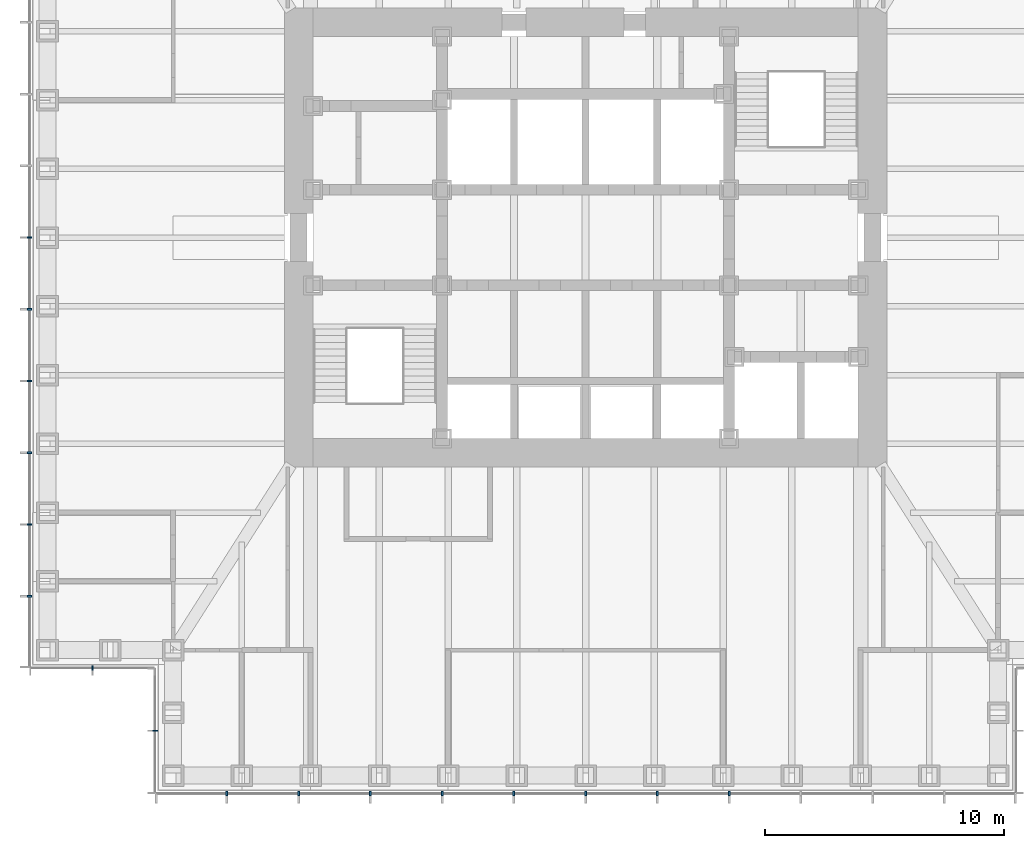
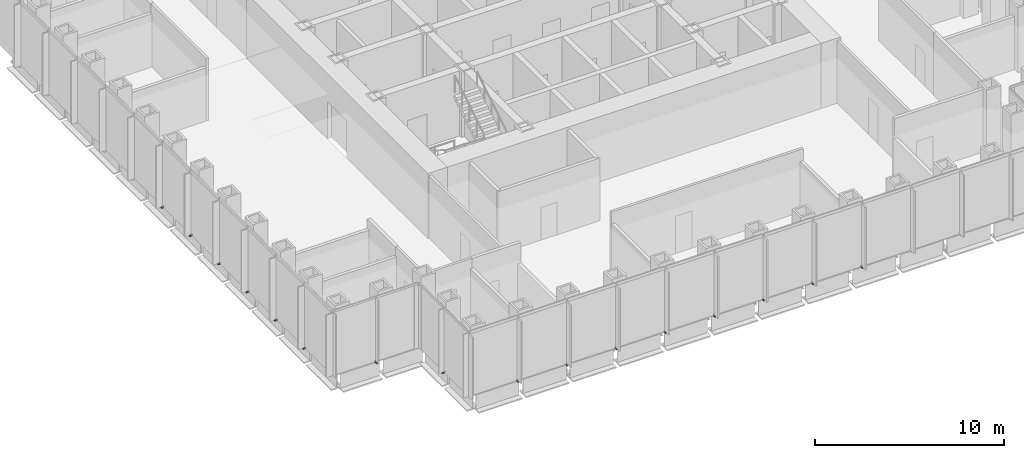
# One storey, part 12 of 17: 16 discrete accessories.
"""IFC4 building model written with IfcOpenShell, lengths in metres."""

from ifc_helpers import new_model, si_unit, direction, frame, origin, origin_2d, place, context, subcontext, project, spatial, rectangle, extrude, element, save


model = new_model("IFC4")

# Units and contexts
model_context = context("Model", 3, precision=1e-05, world=origin(), true_north=direction((0.0, 1.0)))
body_context = subcontext(model_context, "Body", "Model", "MODEL_VIEW")
ifc_project = project(units=[si_unit("LENGTHUNIT", "METRE"), si_unit("AREAUNIT", "SQUARE_METRE"), si_unit("VOLUMEUNIT", "CUBIC_METRE"), si_unit("PLANEANGLEUNIT", "RADIAN"), si_unit("MASSUNIT", "GRAM", prefix="KILO")], contexts=[model_context])

# Site, building, storey
site_placement = place(None, origin())
site = spatial("IfcSite", under=ifc_project, at=site_placement, CompositionType="ELEMENT")
building_placement = place(site_placement, origin())
building = spatial("IfcBuilding", under=site, at=building_placement, Name="Daluyong Arena Tower", CompositionType="ELEMENT")
storey_placement = place(building_placement, frame((0.0, 0.0, 145.89990234375)))
storey = spatial("IfcBuildingStorey", under=building, at=storey_placement, Name="L32", CompositionType="ELEMENT", Elevation=145.89990234375)

# Discrete accessories
for number, where, z_axis, x_axis, name in (
    (1, (41.0, 56.75, -0.099853515625), (0.0, 0.0, 1.0), (1.0, 0.0, 0.0), "curtain wall L32 S anchor bracket 2"),
    (2, (44.0, 56.75, -0.099853515625), (0.0, 0.0, 1.0), (1.0, 0.0, 0.0), "curtain wall L32 S anchor bracket 3"),
    (3, (47.0, 56.75, -0.099853515625), (0.0, 0.0, 1.0), (1.0, 0.0, 0.0), "curtain wall L32 S anchor bracket 4"),
    (4, (50.0, 56.75, -0.099853515625), (0.0, 0.0, 1.0), (1.0, 0.0, 0.0), "curtain wall L32 S anchor bracket 5"),
    (5, (53.0, 56.75, -0.099853515625), (0.0, 0.0, 1.0), (1.0, 0.0, 0.0), "curtain wall L32 S anchor bracket 6"),
    (6, (56.0, 56.75, -0.099853515625), (0.0, 0.0, 1.0), (1.0, 0.0, 0.0), "curtain wall L32 S anchor bracket 7"),
    (7, (59.0, 56.75, -0.099853515625), (0.0, 0.0, 1.0), (1.0, 0.0, 0.0), "curtain wall L32 S anchor bracket 8"),
    (8, (62.0, 56.75, -0.099853515625), (0.0, 0.0, 1.0), (1.0, 0.0, 0.0), "curtain wall L32 S anchor bracket 9"),
    (9, (32.75, 80.0, -0.099853515625), (0.0, 0.0, 1.0), (0.0, -1.0, 0.0), "curtain wall L32 W anchor bracket 7"),
    (10, (32.75, 77.0, -0.099853515625), (0.0, 0.0, 1.0), (0.0, -1.0, 0.0), "curtain wall L32 W anchor bracket 8"),
    (11, (32.75, 74.0, -0.099853515625), (0.0, 0.0, 1.0), (0.0, -1.0, 0.0), "curtain wall L32 W anchor bracket 9"),
    (12, (32.75, 71.0, -0.099853515625), (0.0, 0.0, 1.0), (0.0, -1.0, 0.0), "curtain wall L32 W anchor bracket 10"),
    (13, (32.75, 68.0, -0.099853515625), (0.0, 0.0, 1.0), (0.0, -1.0, 0.0), "curtain wall L32 W anchor bracket 11"),
    (14, (32.75, 65.0, -0.099853515625), (0.0, 0.0, 1.0), (0.0, -1.0, 0.0), "curtain wall L32 W anchor bracket 12"),
):
    element("IfcDiscreteAccessory", number, at=place(storey_placement, frame(where, z_axis=z_axis, x_axis=x_axis)), inside=storey, Name=name, PredefinedType="BRACKET", context=body_context, shape_type="SweptSolid", body=[
        extrude(rectangle(XDim=0.080078125, YDim=0.199951171875, at=origin_2d()), origin(), (0.0, 0.0, 1.0), 0.10009765625),
    ])
for number, where, z_axis, x_axis, name in (
    (15, (35.375, 62.0, -0.099853515625), (0.0, 0.0, 1.0), (1.0, 0.0, 0.0), "curtain wall L32 SW-S anchor bracket 2"),
    (16, (38.0, 59.375, -0.099853515625), (0.0, 0.0, 1.0), (0.0, -1.0, 0.0), "curtain wall L32 SW-W anchor bracket 2"),
):
    element("IfcDiscreteAccessory", number, at=place(storey_placement, frame(where, z_axis=z_axis, x_axis=x_axis)), inside=storey, Name=name, PredefinedType="BRACKET", context=body_context, shape_type="SweptSolid", body=[
        extrude(rectangle(XDim=0.06005859375, YDim=0.199951171875, at=origin_2d()), origin(), (0.0, 0.0, 1.0), 0.10009765625),
    ])

save(model, "model.ifc")
